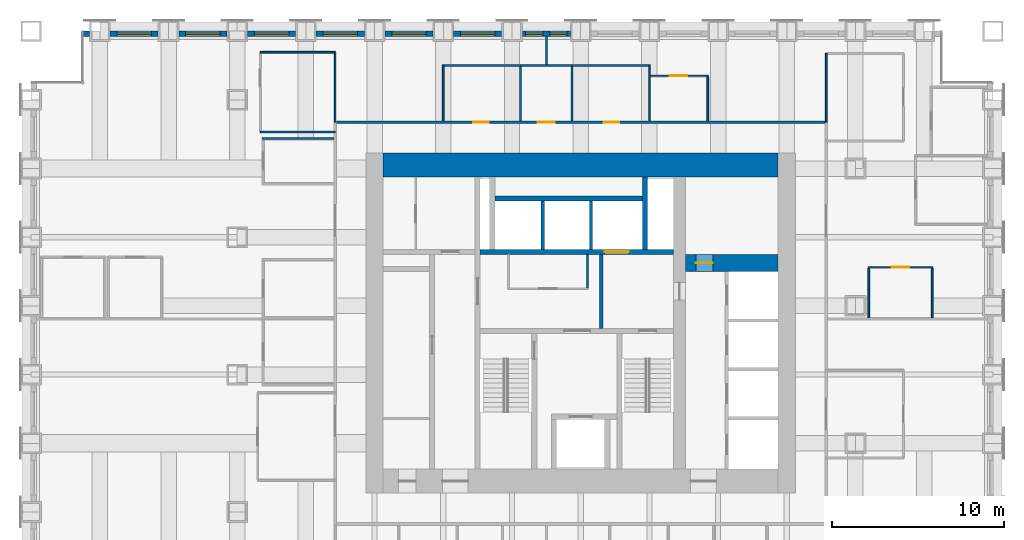
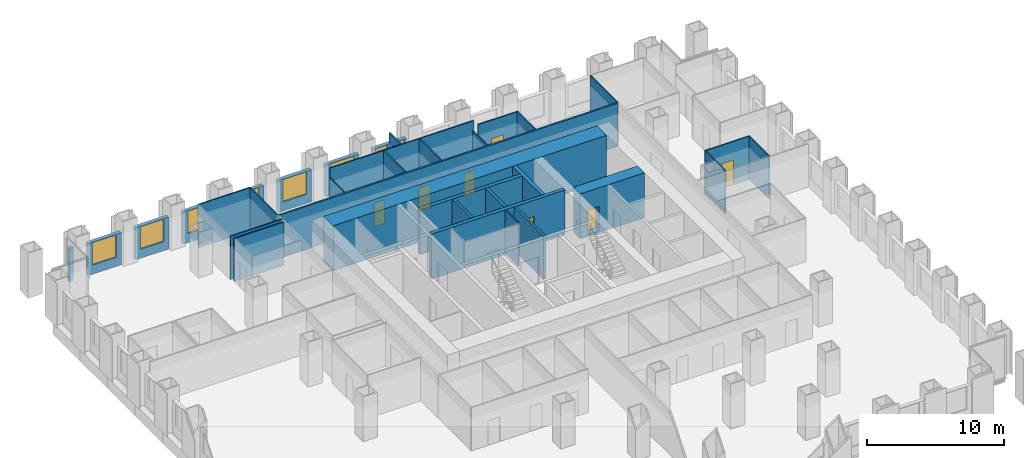
# One storey, part 12 of 15: 34 walls, 8 windows, 7 doors, 15 openings.
"""IFC4 building model written with IfcOpenShell, lengths in metres."""

from ifc_helpers import new_model, si_unit, direction, frame, frame_2d, origin, place, context, subcontext, project, spatial, rectangle, extrude, material, layer, layer_set, type_object, element, fill, save


model = new_model("IFC4")

# Units and contexts
model_context = context("Model", 3, precision=1e-05, world=origin(), true_north=direction((0.0, 1.0)))
body_context = subcontext(model_context, "Body", "Model", "MODEL_VIEW")
ifc_project = project(units=[si_unit("LENGTHUNIT", "METRE"), si_unit("AREAUNIT", "SQUARE_METRE"), si_unit("VOLUMEUNIT", "CUBIC_METRE"), si_unit("PLANEANGLEUNIT", "RADIAN"), si_unit("MASSUNIT", "GRAM", prefix="KILO")], contexts=[model_context])

# Site, building, storey
site_placement = place(None, origin())
site = spatial("IfcSite", under=ifc_project, at=site_placement, CompositionType="ELEMENT")
building_placement = place(site_placement, origin())
building = spatial("IfcBuilding", under=site, at=building_placement, Name="Rimbunsela Tower", CompositionType="ELEMENT")
storey_placement = place(building_placement, frame((0.0, 0.0, 19.0)))
storey = spatial("IfcBuildingStorey", under=building, at=storey_placement, Name="L04", CompositionType="ELEMENT", Elevation=19.0)

# Wall, opening, door
ifc_material_1 = material(Name="Concrete fc' 80 MPa", Category="concrete")
ifc_layer_1 = layer(ifc_material_1, 0.300048828125)
ifc_layer_set_1 = layer_set([ifc_layer_1], Name="Core internal wall 300")
wall_type_1 = type_object("IfcWallType", Name="Core internal wall 300", PredefinedType="SHEAR", material=ifc_layer_set_1)
wall_1_placement = place(storey_placement, frame((24.14990234375, 31.14990234375, -0.14990234375), z_axis=(0.0, 0.0, 1.0), x_axis=(1.0, 0.0, 0.0)))
wall_1 = element("IfcWall", 1, at=wall_1_placement, inside=storey, type_object=wall_type_1, Name="Lift shaft front north", PredefinedType="SHEAR", context=body_context, shape_type="SweptSolid", body=[
    extrude(rectangle(XDim=11.25, YDim=0.300048828125, at=frame_2d((5.625, 0.0))), origin(), (0.0, 0.0, 1.0), 4.0),
])
opening_1_placement = place(wall_1_placement, frame((7.25, 0.0, 0.14990234375)))
opening_1 = element("IfcOpeningElement", 2, at=opening_1_placement, cuts=wall_1, Name="Opening LD3", PredefinedType="OPENING", context=body_context, shape_type="SweptSolid", body=[
    extrude(rectangle(XDim=1.39990234375, YDim=2.39990234375, at=frame_2d((0.699951171875, 1.199951171875))), frame((0.0, 0.159912109375, 0.0), z_axis=(0.0, -1.0, 0.0), x_axis=(1.0, 0.0, 0.0)), (0.0, 0.0, 1.0), 0.320068359375),
])
ifc_material_2 = material(Name="Steel door, fire rated", Category="steel")
door_type_1 = type_object("IfcDoorType", Name="Lift landing door 1400", OperationType="DOUBLE_DOOR_SLIDING", PredefinedType="DOOR", material=ifc_material_2)
door_1_placement = place(opening_1_placement, origin())
door_1 = element("IfcDoor", 3, at=door_1_placement, inside=storey, type_object=door_type_1, Name="Lift landing door FL2", OperationType="DOUBLE_DOOR_SLIDING", OverallHeight=2.39990234375, OverallWidth=1.39990234375, PredefinedType="DOOR", context=body_context, shape_type="SweptSolid", body=[
    extrude(rectangle(XDim=1.39990234375, YDim=2.39990234375, at=frame_2d((0.699951171875, 1.199951171875))), frame((0.0, 0.02490234375, 0.0), z_axis=(0.0, -1.0, 0.0), x_axis=(1.0, 0.0, 0.0)), (0.0, 0.0, 1.0), 0.050048828125),
])
fill(opening_1, door_1)

# Walls
wall_2_placement = place(storey_placement, frame((33.75, 31.300048828125, -0.14990234375), z_axis=(0.0, 0.0, 1.0), x_axis=(0.0, 1.0, 0.0)))
element("IfcWall", 4, at=wall_2_placement, inside=storey, type_object=wall_type_1, Name="Riser wall", PredefinedType="SHEAR", context=body_context, shape_type="SweptSolid", body=[
    extrude(rectangle(XDim=4.199951171875, YDim=0.300048828125, at=frame_2d((2.10009765625, 0.0))), origin(), (0.0, 0.0, 1.0), 4.0),
])
wall_3_placement = place(storey_placement, frame((25.0, 34.25, -0.14990234375), z_axis=(0.0, 0.0, 1.0), x_axis=(1.0, 0.0, 0.0)))
element("IfcWall", 5, at=wall_3_placement, inside=storey, type_object=wall_type_1, Name="Lift shaft rear north", PredefinedType="SHEAR", context=body_context, shape_type="SweptSolid", body=[
    extrude(rectangle(XDim=8.60009765625, YDim=0.300048828125, at=frame_2d((4.300048828125, 0.0))), origin(), (0.0, 0.0, 1.0), 4.0),
])
ifc_material_3 = material(Name="Concrete blockwork", Category="masonry")
ifc_layer_2 = layer(ifc_material_3, 0.10009765625)
ifc_layer_set_2 = layer_set([ifc_layer_2], Name="Core room partition 100")
wall_type_2 = type_object("IfcWallType", Name="Core room partition 100", PredefinedType="PARTITIONING", material=ifc_layer_set_2)
wall_4_placement = place(storey_placement, frame((30.39990234375, 29.050048828125, 0.0), z_axis=(0.0, 0.0, 1.0), x_axis=(0.0, 1.0, 0.0)))
element("IfcWall", 6, at=wall_4_placement, inside=storey, type_object=wall_type_2, Name="Lobby room wall", PredefinedType="PARTITIONING", context=body_context, shape_type="SweptSolid", body=[
    extrude(rectangle(XDim=1.949951171875, YDim=0.10009765625, at=frame_2d((0.97509765625, 0.0))), origin(), (0.0, 0.0, 1.0), 3.85009765625),
])

# Wall, opening, door
ifc_material_4 = material(Name="Concrete fc' 80 MPa", Category="concrete")
ifc_layer_3 = layer(ifc_material_4, 1.0)
ifc_layer_set_3 = layer_set([ifc_layer_3], Name="Core wall 1000")
wall_type_3 = type_object("IfcWallType", Name="Core wall 1000", PredefinedType="SHEAR", material=ifc_layer_set_3)
wall_5_placement = place(storey_placement, frame((36.10009765625, 30.5, -0.14990234375), z_axis=(0.0, 0.0, 1.0), x_axis=(1.0, 0.0, 0.0)))
wall_5 = element("IfcWall", 7, at=wall_5_placement, inside=storey, type_object=wall_type_3, Name="Lift shaft rear east", PredefinedType="SHEAR", context=body_context, shape_type="SweptSolid", body=[
    extrude(rectangle(XDim=5.39990234375, YDim=1.0, at=frame_2d((2.699951171875, 0.0))), origin(), (0.0, 0.0, 1.0), 4.0),
])
opening_2_placement = place(wall_5_placement, frame((0.60009765625, 0.0, 0.14990234375)))
opening_2 = element("IfcOpeningElement", 8, at=opening_2_placement, cuts=wall_5, Name="Opening D19", PredefinedType="OPENING", context=body_context, shape_type="SweptSolid", body=[
    extrude(rectangle(XDim=1.0, YDim=2.199951171875, at=frame_2d((0.5, 1.10009765625))), frame((0.0, 0.510009765625, 0.0), z_axis=(0.0, -1.0, 0.0), x_axis=(1.0, 0.0, 0.0)), (0.0, 0.0, 1.0), 1.02001953125),
])
ifc_material_5 = material(Name="Steel door, fire rated", Category="steel")
door_type_2 = type_object("IfcDoorType", Name="Service door 1000 fire rated", OperationType="SINGLE_SWING_LEFT", PredefinedType="DOOR", material=ifc_material_5)
door_2_placement = place(opening_2_placement, origin())
door_2 = element("IfcDoor", 9, at=door_2_placement, inside=storey, type_object=door_type_2, Name="Communications room door", OperationType="SINGLE_SWING_LEFT", OverallHeight=2.199951171875, OverallWidth=1.0, PredefinedType="DOOR", context=body_context, shape_type="SweptSolid", body=[
    extrude(rectangle(XDim=1.0, YDim=2.199951171875, at=frame_2d((0.5, 1.10009765625))), frame((0.0, 0.02490234375, 0.0), z_axis=(0.0, -1.0, 0.0), x_axis=(1.0, 0.0, 0.0)), (0.0, 0.0, 1.0), 0.050048828125),
])
fill(opening_2, door_2)

# Walls
ifc_material_6 = material(Name="Concrete fc' 80 MPa", Category="concrete")
ifc_layer_4 = layer(ifc_material_6, 1.39990234375)
ifc_layer_set_4 = layer_set([ifc_layer_4], Name="Core wall 1400")
wall_type_4 = type_object("IfcWallType", Name="Core wall 1400", PredefinedType="SHEAR", material=ifc_layer_set_4)
wall_6_placement = place(storey_placement, frame((18.5, 36.199951171875, -0.14990234375), z_axis=(0.0, 0.0, 1.0), x_axis=(1.0, 0.0, 0.0)))
element("IfcWall", 10, at=wall_6_placement, inside=storey, type_object=wall_type_4, Name="Core wall north", PredefinedType="SHEAR", context=body_context, shape_type="SweptSolid", body=[
    extrude(rectangle(XDim=23.0, YDim=1.39990234375, at=frame_2d((11.5, 0.0))), origin(), (0.0, 0.0, 1.0), 4.0),
])
ifc_material_7 = material(Name="Concrete blockwork", Category="masonry")
ifc_layer_5 = layer(ifc_material_7, 0.199951171875)
ifc_layer_set_5 = layer_set([ifc_layer_5], Name="Lift shaft wall 200")
wall_type_5 = type_object("IfcWallType", Name="Lift shaft wall 200", PredefinedType="SOLIDWALL", material=ifc_layer_set_5)
for number, where, z_axis, x_axis, name in (
    (11, (27.800048828125, 31.300048828125, -0.14990234375), (0.0, 0.0, 1.0), (0.0, 1.0, 0.0), "Lift shaft separation"),
    (12, (30.60009765625, 31.300048828125, -0.14990234375), (0.0, 0.0, 1.0), (0.0, 1.0, 0.0), "Lift shaft separation"),
):
    element("IfcWall", number, at=place(storey_placement, frame(where, z_axis=z_axis, x_axis=x_axis)), inside=storey, type_object=wall_type_5, Name=name, PredefinedType="SOLIDWALL", context=body_context, shape_type="SweptSolid", body=[
        extrude(rectangle(XDim=2.800048828125, YDim=0.199951171875, at=frame_2d((1.39990234375, 0.0))), origin(), (0.0, 0.0, 1.0), 4.0),
    ])
wall_7_placement = place(storey_placement, frame((31.199951171875, 26.699951171875, 0.0), z_axis=(0.0, 0.0, 1.0), x_axis=(0.0, 1.0, 0.0)))
element("IfcWall", 13, at=wall_7_placement, inside=storey, type_object=wall_type_5, Name="Firefighting lobby 2 wall", PredefinedType="SOLIDWALL", context=body_context, shape_type="SweptSolid", body=[
    extrude(rectangle(XDim=4.300048828125, YDim=0.199951171875, at=frame_2d((2.14990234375, 0.0))), origin(), (0.0, 0.0, 1.0), 3.85009765625),
])

# Wall, opening, door
ifc_material_8 = material(Name="Gypsum board on steel studs", Category="steel")
ifc_layer_6 = layer(ifc_material_8, 0.10009765625)
ifc_layer_set_6 = layer_set([ifc_layer_6], Name="Office partition 100")
wall_type_6 = type_object("IfcWallType", Name="Office partition 100", PredefinedType="PARTITIONING", material=ifc_layer_set_6)
wall_8_placement = place(storey_placement, frame((46.72509765625, 30.25, 0.0), z_axis=(0.0, 0.0, 1.0), x_axis=(1.0, 0.0, 0.0)))
wall_8 = element("IfcWall", 14, at=wall_8_placement, inside=storey, type_object=wall_type_6, Name="Office partition", PredefinedType="PARTITIONING", context=body_context, shape_type="SweptSolid", body=[
    extrude(rectangle(XDim=3.7998046875, YDim=0.10009765625, at=frame_2d((1.89990234375, 0.0))), origin(), (0.0, 0.0, 1.0), 3.85009765625),
])
opening_3_placement = place(wall_8_placement, frame((1.39990234375, 0.0, 0.0)))
opening_3 = element("IfcOpeningElement", 15, at=opening_3_placement, cuts=wall_8, Name="Opening D17", PredefinedType="OPENING", context=body_context, shape_type="SweptSolid", body=[
    extrude(rectangle(XDim=1.0, YDim=2.199951171875, at=frame_2d((0.5, 1.10009765625))), frame((0.0, 0.06005859375, 0.0), z_axis=(0.0, -1.0, 0.0), x_axis=(1.0, 0.0, 0.0)), (0.0, 0.0, 1.0), 0.1201171875),
])
ifc_material_9 = material(Name="Glazed aluminium door", Category="aluminium")
door_type_3 = type_object("IfcDoorType", Name="Meeting room door 1000 glazed", OperationType="SINGLE_SWING_RIGHT", PredefinedType="DOOR", material=ifc_material_9)
door_3_placement = place(opening_3_placement, origin())
door_3 = element("IfcDoor", 16, at=door_3_placement, inside=storey, type_object=door_type_3, Name="Meeting room door", OperationType="SINGLE_SWING_RIGHT", OverallHeight=2.199951171875, OverallWidth=1.0, PredefinedType="DOOR", context=body_context, shape_type="SweptSolid", body=[
    extrude(rectangle(XDim=1.0, YDim=2.199951171875, at=frame_2d((0.5, 1.10009765625))), frame((0.0, 0.02490234375, 0.0), z_axis=(0.0, -1.0, 0.0), x_axis=(1.0, 0.0, 0.0)), (0.0, 0.0, 1.0), 0.050048828125),
])
fill(opening_3, door_3)

# Wall
wall_9_placement = place(storey_placement, frame((11.449951171875, 37.75, 0.0), z_axis=(0.0, 0.0, 1.0), x_axis=(1.0, 0.0, 0.0)))
element("IfcWall", 17, at=wall_9_placement, inside=storey, type_object=wall_type_6, Name="Office partition", PredefinedType="PARTITIONING", context=body_context, shape_type="SweptSolid", body=[
    extrude(rectangle(XDim=4.175048828125, YDim=0.10009765625, at=frame_2d((2.08740234375, 0.0))), origin(), (0.0, 0.0, 1.0), 3.85009765625),
])

# Wall, opening, door
wall_10_placement = place(storey_placement, frame((34.050048828125, 41.39990234375, 0.0), z_axis=(0.0, 0.0, 1.0), x_axis=(1.0, 0.0, 0.0)))
wall_10 = element("IfcWall", 18, at=wall_10_placement, inside=storey, type_object=wall_type_6, Name="Office partition", PredefinedType="PARTITIONING", context=body_context, shape_type="SweptSolid", body=[
    extrude(rectangle(XDim=3.39990234375, YDim=0.10009765625, at=frame_2d((1.699951171875, 0.0))), origin(), (0.0, 0.0, 1.0), 3.85009765625),
])
opening_4_placement = place(wall_10_placement, frame((1.14990234375, 0.0, 0.0)))
opening_4 = element("IfcOpeningElement", 19, at=opening_4_placement, cuts=wall_10, Name="Opening D16", PredefinedType="OPENING", context=body_context, shape_type="SweptSolid", body=[
    extrude(rectangle(XDim=1.0, YDim=2.199951171875, at=frame_2d((0.5, 1.10009765625))), frame((0.0, 0.06005859375, 0.0), z_axis=(0.0, -1.0, 0.0), x_axis=(1.0, 0.0, 0.0)), (0.0, 0.0, 1.0), 0.1201171875),
])
ifc_material_10 = material(Name="Timber door", Category="wood")
door_type_4 = type_object("IfcDoorType", Name="Office door 1000", OperationType="SINGLE_SWING_LEFT", PredefinedType="DOOR", material=ifc_material_10)
door_4_placement = place(opening_4_placement, origin())
door_4 = element("IfcDoor", 20, at=door_4_placement, inside=storey, type_object=door_type_4, Name="Office door", OperationType="SINGLE_SWING_LEFT", OverallHeight=2.199951171875, OverallWidth=1.0, PredefinedType="DOOR", context=body_context, shape_type="SweptSolid", body=[
    extrude(rectangle(XDim=1.0, YDim=2.199951171875, at=frame_2d((0.5, 1.10009765625))), frame((0.0, 0.02490234375, 0.0), z_axis=(0.0, -1.0, 0.0), x_axis=(1.0, 0.0, 0.0)), (0.0, 0.0, 1.0), 0.050048828125),
])
fill(opening_4, door_4)

# Walls
wall_11_placement = place(storey_placement, frame((37.39990234375, 38.77490234375, 0.0), z_axis=(0.0, 0.0, 1.0), x_axis=(0.0, 1.0, 0.0)))
element("IfcWall", 21, at=wall_11_placement, inside=storey, type_object=wall_type_6, Name="Office partition", PredefinedType="PARTITIONING", context=body_context, shape_type="SweptSolid", body=[
    extrude(rectangle(XDim=2.5751953125, YDim=0.10009765625, at=frame_2d((1.28759765625, 0.0))), origin(), (0.0, 0.0, 1.0), 3.85009765625),
])
for number, where, z_axis, x_axis, name in (
    (22, (46.77490234375, 27.31005859375, 0.0), (0.0, 0.0, 1.0), (0.0, 1.0, 0.0), "Office partition"),
    (23, (50.47509765625, 27.31005859375, 0.0), (0.0, 0.0, 1.0), (0.0, 1.0, 0.0), "Office partition"),
):
    element("IfcWall", number, at=place(storey_placement, frame(where, z_axis=z_axis, x_axis=x_axis)), inside=storey, type_object=wall_type_6, Name=name, PredefinedType="PARTITIONING", context=body_context, shape_type="SweptSolid", body=[
        extrude(rectangle(XDim=2.889892578125, YDim=0.10009765625, at=frame_2d((1.44482421875, 0.0))), origin(), (0.0, 0.0, 1.0), 3.85009765625),
    ])
wall_12_placement = place(storey_placement, frame((15.699951171875, 38.699951171875, 0.0), z_axis=(0.0, 0.0, 1.0), x_axis=(0.0, 1.0, 0.0)))
element("IfcWall", 24, at=wall_12_placement, inside=storey, type_object=wall_type_6, Name="Office partition", PredefinedType="PARTITIONING", context=body_context, shape_type="SweptSolid", body=[
    extrude(rectangle(XDim=4.074951171875, YDim=0.10009765625, at=frame_2d((2.03759765625, 0.0))), origin(), (0.0, 0.0, 1.0), 3.85009765625),
])
for number, where, z_axis, x_axis, name in (
    (25, (15.699951171875, 42.77490234375, 0.0), (0.0, 0.0, 1.0), (-1.0, 0.0, 0.0), "Office partition"),
    (26, (11.35009765625, 38.125, 0.0), (0.0, 0.0, 1.0), (1.0, 0.0, 0.0), "Office partition"),
):
    element("IfcWall", number, at=place(storey_placement, frame(where, z_axis=z_axis, x_axis=x_axis)), inside=storey, type_object=wall_type_6, Name=name, PredefinedType="PARTITIONING", context=body_context, shape_type="SweptSolid", body=[
        extrude(rectangle(XDim=4.349853515625, YDim=0.10009765625, at=frame_2d((2.1748046875, 0.0))), origin(), (0.0, 0.0, 1.0), 3.85009765625),
    ])
wall_13_placement = place(storey_placement, frame((44.300048828125, 42.699951171875, 0.0), z_axis=(0.0, 0.0, 1.0), x_axis=(0.0, -1.0, 0.0)))
element("IfcWall", 27, at=wall_13_placement, inside=storey, type_object=wall_type_6, Name="Office partition", PredefinedType="PARTITIONING", context=body_context, shape_type="SweptSolid", body=[
    extrude(rectangle(XDim=4.0, YDim=0.10009765625, at=frame_2d((2.0, 0.0))), origin(), (0.0, 0.0, 1.0), 3.85009765625),
])
ifc_material_11 = material(Name="Precast concrete fc' 35 MPa", Category="concrete")
ifc_layer_7 = layer(ifc_material_11, 0.300048828125)
ifc_layer_set_7 = layer_set([ifc_layer_7], Name="Precast concrete fc' 35 MPa")
wall_type_7 = type_object("IfcWallType", Name="Precast facade panel 300", PredefinedType="ELEMENTEDWALL", material=ifc_layer_set_7)
wall_14_placement = place(storey_placement, frame((1.39990234375, 43.85009765625, 0.0), z_axis=(0.0, 0.0, 1.0), x_axis=(-1.0, 0.0, 0.0)))
element("IfcWall", 28, at=wall_14_placement, inside=storey, type_object=wall_type_7, Name="Facade panel N L04", PredefinedType="ELEMENTEDWALL", context=body_context, shape_type="SweptSolid", body=[
    extrude(rectangle(XDim=0.369873046875, YDim=0.300048828125, at=frame_2d((0.18505859375, 0.0))), origin(), (0.0, 0.0, 1.0), 2.949951171875),
])

# Wall, opening, window
wall_15_placement = place(storey_placement, frame((5.39990234375, 43.85009765625, 0.0), z_axis=(0.0, 0.0, 1.0), x_axis=(-1.0, 0.0, 0.0)))
wall_15 = element("IfcWall", 29, at=wall_15_placement, inside=storey, type_object=wall_type_7, Name="Facade panel N L04", PredefinedType="ELEMENTEDWALL", context=body_context, shape_type="SweptSolid", body=[
    extrude(rectangle(XDim=2.7998046875, YDim=0.300048828125, at=frame_2d((1.39990234375, 0.0))), origin(), (0.0, 0.0, 1.0), 2.85009765625),
])
opening_5_placement = place(wall_15_placement, frame((0.39990234375, 0.0, 0.800048828125)))
opening_5 = element("IfcOpeningElement", 30, at=opening_5_placement, cuts=wall_15, Name="Opening W1", PredefinedType="OPENING", context=body_context, shape_type="SweptSolid", body=[
    extrude(rectangle(XDim=2.0, YDim=2.0, at=frame_2d((1.0, 1.0))), frame((0.0, 0.159912109375, 0.0), z_axis=(0.0, -1.0, 0.0), x_axis=(1.0, 0.0, 0.0)), (0.0, 0.0, 1.0), 0.320068359375),
])
ifc_material_12 = material(Name="Clear glass in aluminium frame", Category="aluminium")
window_type_1 = type_object("IfcWindowType", Name="Window W1 2000x2000", PartitioningType="DOUBLE_PANEL_VERTICAL", PredefinedType="WINDOW", material=ifc_material_12)
window_1_placement = place(opening_5_placement, origin())
window_1 = element("IfcWindow", 31, at=window_1_placement, inside=storey, type_object=window_type_1, Name="Window L04", OverallHeight=2.0, OverallWidth=2.0, PartitioningType="SINGLE_PANEL", PredefinedType="WINDOW", context=body_context, shape_type="SweptSolid", body=[
    extrude(rectangle(XDim=2.0, YDim=2.0, at=frame_2d((1.0, 1.0))), frame((0.0, 0.030029296875, 0.0), z_axis=(0.0, -1.0, 0.0), x_axis=(1.0, 0.0, 0.0)), (0.0, 0.0, 1.0), 0.06005859375),
])
fill(opening_5, window_1)

wall_16_placement = place(storey_placement, frame((9.39990234375, 43.85009765625, 0.0), z_axis=(0.0, 0.0, 1.0), x_axis=(-1.0, 0.0, 0.0)))
wall_16 = element("IfcWall", 32, at=wall_16_placement, inside=storey, type_object=wall_type_7, Name="Facade panel N L04", PredefinedType="ELEMENTEDWALL", context=body_context, shape_type="SweptSolid", body=[
    extrude(rectangle(XDim=2.7998046875, YDim=0.300048828125, at=frame_2d((1.39990234375, 0.0))), origin(), (0.0, 0.0, 1.0), 2.85009765625),
])
opening_6_placement = place(wall_16_placement, frame((0.39990234375, 0.0, 0.800048828125)))
opening_6 = element("IfcOpeningElement", 33, at=opening_6_placement, cuts=wall_16, Name="Opening W1", PredefinedType="OPENING", context=body_context, shape_type="SweptSolid", body=[
    extrude(rectangle(XDim=2.0, YDim=2.0, at=frame_2d((1.0, 1.0))), frame((0.0, 0.159912109375, 0.0), z_axis=(0.0, -1.0, 0.0), x_axis=(1.0, 0.0, 0.0)), (0.0, 0.0, 1.0), 0.320068359375),
])
window_2_placement = place(opening_6_placement, origin())
window_2 = element("IfcWindow", 34, at=window_2_placement, inside=storey, type_object=window_type_1, Name="Window L04", OverallHeight=2.0, OverallWidth=2.0, PartitioningType="SINGLE_PANEL", PredefinedType="WINDOW", context=body_context, shape_type="SweptSolid", body=[
    extrude(rectangle(XDim=2.0, YDim=2.0, at=frame_2d((1.0, 1.0))), frame((0.0, 0.030029296875, 0.0), z_axis=(0.0, -1.0, 0.0), x_axis=(1.0, 0.0, 0.0)), (0.0, 0.0, 1.0), 0.06005859375),
])
fill(opening_6, window_2)

wall_17_placement = place(storey_placement, frame((13.39990234375, 43.85009765625, 0.0), z_axis=(0.0, 0.0, 1.0), x_axis=(-1.0, 0.0, 0.0)))
wall_17 = element("IfcWall", 35, at=wall_17_placement, inside=storey, type_object=wall_type_7, Name="Facade panel N L04", PredefinedType="ELEMENTEDWALL", context=body_context, shape_type="SweptSolid", body=[
    extrude(rectangle(XDim=2.7998046875, YDim=0.300048828125, at=frame_2d((1.39990234375, 0.0))), origin(), (0.0, 0.0, 1.0), 2.85009765625),
])
opening_7_placement = place(wall_17_placement, frame((0.39990234375, 0.0, 0.800048828125)))
opening_7 = element("IfcOpeningElement", 36, at=opening_7_placement, cuts=wall_17, Name="Opening W1", PredefinedType="OPENING", context=body_context, shape_type="SweptSolid", body=[
    extrude(rectangle(XDim=2.0, YDim=2.0, at=frame_2d((1.0, 1.0))), frame((0.0, 0.159912109375, 0.0), z_axis=(0.0, -1.0, 0.0), x_axis=(1.0, 0.0, 0.0)), (0.0, 0.0, 1.0), 0.320068359375),
])
window_3_placement = place(opening_7_placement, origin())
window_3 = element("IfcWindow", 37, at=window_3_placement, inside=storey, type_object=window_type_1, Name="Window L04", OverallHeight=2.0, OverallWidth=2.0, PartitioningType="SINGLE_PANEL", PredefinedType="WINDOW", context=body_context, shape_type="SweptSolid", body=[
    extrude(rectangle(XDim=2.0, YDim=2.0, at=frame_2d((1.0, 1.0))), frame((0.0, 0.030029296875, 0.0), z_axis=(0.0, -1.0, 0.0), x_axis=(1.0, 0.0, 0.0)), (0.0, 0.0, 1.0), 0.06005859375),
])
fill(opening_7, window_3)

wall_18_placement = place(storey_placement, frame((17.39990234375, 43.85009765625, 0.0), z_axis=(0.0, 0.0, 1.0), x_axis=(-1.0, 0.0, 0.0)))
wall_18 = element("IfcWall", 38, at=wall_18_placement, inside=storey, type_object=wall_type_7, Name="Facade panel N L04", PredefinedType="ELEMENTEDWALL", context=body_context, shape_type="SweptSolid", body=[
    extrude(rectangle(XDim=2.7998046875, YDim=0.300048828125, at=frame_2d((1.39990234375, 0.0))), origin(), (0.0, 0.0, 1.0), 2.85009765625),
])
opening_8_placement = place(wall_18_placement, frame((0.39990234375, 0.0, 0.800048828125)))
opening_8 = element("IfcOpeningElement", 39, at=opening_8_placement, cuts=wall_18, Name="Opening W1", PredefinedType="OPENING", context=body_context, shape_type="SweptSolid", body=[
    extrude(rectangle(XDim=2.0, YDim=2.0, at=frame_2d((1.0, 1.0))), frame((0.0, 0.159912109375, 0.0), z_axis=(0.0, -1.0, 0.0), x_axis=(1.0, 0.0, 0.0)), (0.0, 0.0, 1.0), 0.320068359375),
])
window_4_placement = place(opening_8_placement, origin())
window_4 = element("IfcWindow", 40, at=window_4_placement, inside=storey, type_object=window_type_1, Name="Window L04", OverallHeight=2.0, OverallWidth=2.0, PartitioningType="SINGLE_PANEL", PredefinedType="WINDOW", context=body_context, shape_type="SweptSolid", body=[
    extrude(rectangle(XDim=2.0, YDim=2.0, at=frame_2d((1.0, 1.0))), frame((0.0, 0.030029296875, 0.0), z_axis=(0.0, -1.0, 0.0), x_axis=(1.0, 0.0, 0.0)), (0.0, 0.0, 1.0), 0.06005859375),
])
fill(opening_8, window_4)

wall_19_placement = place(storey_placement, frame((21.39990234375, 43.85009765625, 0.0), z_axis=(0.0, 0.0, 1.0), x_axis=(-1.0, 0.0, 0.0)))
wall_19 = element("IfcWall", 41, at=wall_19_placement, inside=storey, type_object=wall_type_7, Name="Facade panel N L04", PredefinedType="ELEMENTEDWALL", context=body_context, shape_type="SweptSolid", body=[
    extrude(rectangle(XDim=2.7998046875, YDim=0.300048828125, at=frame_2d((1.39990234375, 0.0))), origin(), (0.0, 0.0, 1.0), 2.85009765625),
])
opening_9_placement = place(wall_19_placement, frame((0.39990234375, 0.0, 0.800048828125)))
opening_9 = element("IfcOpeningElement", 42, at=opening_9_placement, cuts=wall_19, Name="Opening W1", PredefinedType="OPENING", context=body_context, shape_type="SweptSolid", body=[
    extrude(rectangle(XDim=2.0, YDim=2.0, at=frame_2d((1.0, 1.0))), frame((0.0, 0.159912109375, 0.0), z_axis=(0.0, -1.0, 0.0), x_axis=(1.0, 0.0, 0.0)), (0.0, 0.0, 1.0), 0.320068359375),
])
window_5_placement = place(opening_9_placement, origin())
window_5 = element("IfcWindow", 43, at=window_5_placement, inside=storey, type_object=window_type_1, Name="Window L04", OverallHeight=2.0, OverallWidth=2.0, PartitioningType="SINGLE_PANEL", PredefinedType="WINDOW", context=body_context, shape_type="SweptSolid", body=[
    extrude(rectangle(XDim=2.0, YDim=2.0, at=frame_2d((1.0, 1.0))), frame((0.0, 0.030029296875, 0.0), z_axis=(0.0, -1.0, 0.0), x_axis=(1.0, 0.0, 0.0)), (0.0, 0.0, 1.0), 0.06005859375),
])
fill(opening_9, window_5)

wall_20_placement = place(storey_placement, frame((25.39990234375, 43.85009765625, 0.0), z_axis=(0.0, 0.0, 1.0), x_axis=(-1.0, 0.0, 0.0)))
wall_20 = element("IfcWall", 44, at=wall_20_placement, inside=storey, type_object=wall_type_7, Name="Facade panel N L04", PredefinedType="ELEMENTEDWALL", context=body_context, shape_type="SweptSolid", body=[
    extrude(rectangle(XDim=2.7998046875, YDim=0.300048828125, at=frame_2d((1.39990234375, 0.0))), origin(), (0.0, 0.0, 1.0), 2.85009765625),
])
opening_10_placement = place(wall_20_placement, frame((0.39990234375, 0.0, 0.800048828125)))
opening_10 = element("IfcOpeningElement", 45, at=opening_10_placement, cuts=wall_20, Name="Opening W1", PredefinedType="OPENING", context=body_context, shape_type="SweptSolid", body=[
    extrude(rectangle(XDim=2.0, YDim=2.0, at=frame_2d((1.0, 1.0))), frame((0.0, 0.159912109375, 0.0), z_axis=(0.0, -1.0, 0.0), x_axis=(1.0, 0.0, 0.0)), (0.0, 0.0, 1.0), 0.320068359375),
])
window_6_placement = place(opening_10_placement, origin())
window_6 = element("IfcWindow", 46, at=window_6_placement, inside=storey, type_object=window_type_1, Name="Window L04", OverallHeight=2.0, OverallWidth=2.0, PartitioningType="SINGLE_PANEL", PredefinedType="WINDOW", context=body_context, shape_type="SweptSolid", body=[
    extrude(rectangle(XDim=2.0, YDim=2.0, at=frame_2d((1.0, 1.0))), frame((0.0, 0.030029296875, 0.0), z_axis=(0.0, -1.0, 0.0), x_axis=(1.0, 0.0, 0.0)), (0.0, 0.0, 1.0), 0.06005859375),
])
fill(opening_10, window_6)

# Wall, openings, windows
wall_21_placement = place(storey_placement, frame((29.39990234375, 43.85009765625, 0.0), z_axis=(0.0, 0.0, 1.0), x_axis=(-1.0, 0.0, 0.0)))
wall_21 = element("IfcWall", 47, at=wall_21_placement, inside=storey, type_object=wall_type_7, Name="Facade panel N L04", PredefinedType="ELEMENTEDWALL", context=body_context, shape_type="SweptSolid", body=[
    extrude(rectangle(XDim=2.7998046875, YDim=0.300048828125, at=frame_2d((1.39990234375, 0.0))), origin(), (0.0, 0.0, 1.0), 2.85009765625),
])
opening_11_placement = place(wall_21_placement, frame((1.60009765625, 0.0, 0.800048828125)))
opening_11 = element("IfcOpeningElement", 48, at=opening_11_placement, cuts=wall_21, Name="Opening W5", PredefinedType="OPENING", context=body_context, shape_type="SweptSolid", body=[
    extrude(rectangle(XDim=1.0, YDim=2.0, at=frame_2d((0.5, 1.0))), frame((0.0, 0.159912109375, 0.0), z_axis=(0.0, -1.0, 0.0), x_axis=(1.0, 0.0, 0.0)), (0.0, 0.0, 1.0), 0.320068359375),
])
opening_12_placement = place(wall_21_placement, frame((0.199951171875, 0.0, 0.800048828125)))
opening_12 = element("IfcOpeningElement", 49, at=opening_12_placement, cuts=wall_21, Name="Opening W5", PredefinedType="OPENING", context=body_context, shape_type="SweptSolid", body=[
    extrude(rectangle(XDim=1.0, YDim=2.0, at=frame_2d((0.5, 1.0))), frame((0.0, 0.159912109375, 0.0), z_axis=(0.0, -1.0, 0.0), x_axis=(1.0, 0.0, 0.0)), (0.0, 0.0, 1.0), 0.320068359375),
])
ifc_material_13 = material(Name="Clear glass in aluminium frame", Category="aluminium")
window_type_2 = type_object("IfcWindowType", Name="Window W5 1000x2000", PartitioningType="SINGLE_PANEL", PredefinedType="WINDOW", material=ifc_material_13)
window_7_placement = place(opening_11_placement, origin())
window_7 = element("IfcWindow", 50, at=window_7_placement, inside=storey, type_object=window_type_2, Name="Window L04", OverallHeight=2.0, OverallWidth=1.0, PartitioningType="SINGLE_PANEL", PredefinedType="WINDOW", context=body_context, shape_type="SweptSolid", body=[
    extrude(rectangle(XDim=1.0, YDim=2.0, at=frame_2d((0.5, 1.0))), frame((0.0, 0.030029296875, 0.0), z_axis=(0.0, -1.0, 0.0), x_axis=(1.0, 0.0, 0.0)), (0.0, 0.0, 1.0), 0.06005859375),
])
fill(opening_11, window_7)
window_8_placement = place(opening_12_placement, origin())
window_8 = element("IfcWindow", 51, at=window_8_placement, inside=storey, type_object=window_type_2, Name="Window L04", OverallHeight=2.0, OverallWidth=1.0, PartitioningType="SINGLE_PANEL", PredefinedType="WINDOW", context=body_context, shape_type="SweptSolid", body=[
    extrude(rectangle(XDim=1.0, YDim=2.0, at=frame_2d((0.5, 1.0))), frame((0.0, 0.030029296875, 0.0), z_axis=(0.0, -1.0, 0.0), x_axis=(1.0, 0.0, 0.0)), (0.0, 0.0, 1.0), 0.06005859375),
])
fill(opening_12, window_8)

# Wall, openings, doors
ifc_material_14 = material(Name="Fire-rated gypsum board on steel studs, EI 60", Category="steel")
ifc_layer_8 = layer(ifc_material_14, 0.14990234375)
ifc_layer_set_8 = layer_set([ifc_layer_8], Name="Rated corridor wall 150")
wall_type_8 = type_object("IfcWallType", Name="Rated corridor wall 150", PredefinedType="PARTITIONING", material=ifc_layer_set_8)
wall_22_placement = place(storey_placement, frame((15.77490234375, 38.699951171875, 0.0), z_axis=(0.0, 0.0, 1.0), x_axis=(1.0, 0.0, 0.0)))
wall_22 = element("IfcWall", 52, at=wall_22_placement, inside=storey, type_object=wall_type_8, Name="Corridor wall north", PredefinedType="PARTITIONING", context=body_context, shape_type="SweptSolid", body=[
    extrude(rectangle(XDim=28.4501953125, YDim=0.14990234375, at=frame_2d((14.22509765625, 0.0))), origin(), (0.0, 0.0, 1.0), 3.85009765625),
])
opening_13_placement = place(wall_22_placement, frame((7.97509765625, 0.0, 0.0)))
opening_13 = element("IfcOpeningElement", 53, at=opening_13_placement, cuts=wall_22, Name="Opening D04", PredefinedType="OPENING", context=body_context, shape_type="SweptSolid", body=[
    extrude(rectangle(XDim=0.89990234375, YDim=2.10009765625, at=frame_2d((0.449951171875, 1.050048828125))), frame((0.0, 0.0849609375, 0.0), z_axis=(0.0, -1.0, 0.0), x_axis=(1.0, 0.0, 0.0)), (0.0, 0.0, 1.0), 0.169921875),
])
opening_14_placement = place(wall_22_placement, frame((11.72509765625, 0.0, 0.0)))
opening_14 = element("IfcOpeningElement", 54, at=opening_14_placement, cuts=wall_22, Name="Opening D05", PredefinedType="OPENING", context=body_context, shape_type="SweptSolid", body=[
    extrude(rectangle(XDim=1.0, YDim=2.10009765625, at=frame_2d((0.5, 1.050048828125))), frame((0.0, 0.0849609375, 0.0), z_axis=(0.0, -1.0, 0.0), x_axis=(1.0, 0.0, 0.0)), (0.0, 0.0, 1.0), 0.169921875),
])
opening_15_placement = place(wall_22_placement, frame((15.574951171875, 0.0, 0.0)))
opening_15 = element("IfcOpeningElement", 55, at=opening_15_placement, cuts=wall_22, Name="Opening D04", PredefinedType="OPENING", context=body_context, shape_type="SweptSolid", body=[
    extrude(rectangle(XDim=0.89990234375, YDim=2.10009765625, at=frame_2d((0.449951171875, 1.050048828125))), frame((0.0, 0.0849609375, 0.0), z_axis=(0.0, -1.0, 0.0), x_axis=(1.0, 0.0, 0.0)), (0.0, 0.0, 1.0), 0.169921875),
])
ifc_material_15 = material(Name="Timber door", Category="wood")
door_type_5 = type_object("IfcDoorType", Name="Accessible WC door 1000", OperationType="SLIDING_TO_LEFT", PredefinedType="DOOR", material=ifc_material_15)
door_5_placement = place(opening_14_placement, origin())
door_5 = element("IfcDoor", 56, at=door_5_placement, inside=storey, type_object=door_type_5, Name="Accessible WC door", OperationType="SLIDING_TO_LEFT", OverallHeight=2.10009765625, OverallWidth=1.0, PredefinedType="DOOR", context=body_context, shape_type="SweptSolid", body=[
    extrude(rectangle(XDim=1.0, YDim=2.10009765625, at=frame_2d((0.5, 1.050048828125))), frame((0.0, 0.02490234375, 0.0), z_axis=(0.0, -1.0, 0.0), x_axis=(1.0, 0.0, 0.0)), (0.0, 0.0, 1.0), 0.050048828125),
])
fill(opening_14, door_5)
ifc_material_16 = material(Name="Timber door", Category="wood")
door_type_6 = type_object("IfcDoorType", Name="Toilet door 900", OperationType="SINGLE_SWING_LEFT", PredefinedType="DOOR", material=ifc_material_16)
door_6_placement = place(opening_13_placement, origin())
door_6 = element("IfcDoor", 57, at=door_6_placement, inside=storey, type_object=door_type_6, Name="Female WC door", OperationType="SINGLE_SWING_LEFT", OverallHeight=2.10009765625, OverallWidth=0.89990234375, PredefinedType="DOOR", context=body_context, shape_type="SweptSolid", body=[
    extrude(rectangle(XDim=0.89990234375, YDim=2.10009765625, at=frame_2d((0.449951171875, 1.050048828125))), frame((0.0, 0.02490234375, 0.0), z_axis=(0.0, -1.0, 0.0), x_axis=(1.0, 0.0, 0.0)), (0.0, 0.0, 1.0), 0.050048828125),
])
fill(opening_13, door_6)
door_7_placement = place(opening_15_placement, origin())
door_7 = element("IfcDoor", 58, at=door_7_placement, inside=storey, type_object=door_type_6, Name="Male WC door", OperationType="SINGLE_SWING_LEFT", OverallHeight=2.10009765625, OverallWidth=0.89990234375, PredefinedType="DOOR", context=body_context, shape_type="SweptSolid", body=[
    extrude(rectangle(XDim=0.89990234375, YDim=2.10009765625, at=frame_2d((0.449951171875, 1.050048828125))), frame((0.0, 0.02490234375, 0.0), z_axis=(0.0, -1.0, 0.0), x_axis=(1.0, 0.0, 0.0)), (0.0, 0.0, 1.0), 0.050048828125),
])
fill(opening_15, door_7)

# Walls
ifc_material_17 = material(Name="Gypsum board on steel studs", Category="steel")
ifc_layer_9 = layer(ifc_material_17, 0.1201171875)
ifc_layer_set_9 = layer_set([ifc_layer_9], Name="Tenancy partition 120")
wall_type_9 = type_object("IfcWallType", Name="Tenancy partition 120", PredefinedType="PARTITIONING", material=ifc_layer_set_9)
wall_23_placement = place(storey_placement, frame((28.0, 42.050048828125, 0.0), z_axis=(0.0, 0.0, 1.0), x_axis=(0.0, 1.0, 0.0)))
element("IfcWall", 59, at=wall_23_placement, inside=storey, type_object=wall_type_9, Name="Tenancy partition north", PredefinedType="PARTITIONING", context=body_context, shape_type="SweptSolid", body=[
    extrude(rectangle(XDim=1.64990234375, YDim=0.1201171875, at=frame_2d((0.824951171875, 0.0))), origin(), (0.0, 0.0, 1.0), 3.85009765625),
])
ifc_material_18 = material(Name="Concrete blockwork", Category="masonry")
ifc_layer_10 = layer(ifc_material_18, 0.10009765625)
ifc_layer_set_10 = layer_set([ifc_layer_10], Name="Toilet partition 100")
wall_type_10 = type_object("IfcWallType", Name="Toilet partition 100", PredefinedType="PARTITIONING", material=ifc_layer_set_10)
for number, where, z_axis, x_axis, name in (
    (60, (22.0, 38.77490234375, 0.0), (0.0, 0.0, 1.0), (0.0, 1.0, 0.0), "Toilet block wall west"),
    (61, (34.0, 38.77490234375, 0.0), (0.0, 0.0, 1.0), (0.0, 1.0, 0.0), "Toilet block wall east"),
):
    element("IfcWall", number, at=place(storey_placement, frame(where, z_axis=z_axis, x_axis=x_axis)), inside=storey, type_object=wall_type_10, Name=name, PredefinedType="PARTITIONING", context=body_context, shape_type="SweptSolid", body=[
        extrude(rectangle(XDim=3.275146484375, YDim=0.10009765625, at=frame_2d((1.6376953125, 0.0))), origin(), (0.0, 0.0, 1.0), 2.949951171875),
    ])
wall_24_placement = place(storey_placement, frame((21.949951171875, 42.0, 0.0), z_axis=(0.0, 0.0, 1.0), x_axis=(1.0, 0.0, 0.0)))
element("IfcWall", 62, at=wall_24_placement, inside=storey, type_object=wall_type_10, Name="Toilet block wall north", PredefinedType="PARTITIONING", context=body_context, shape_type="SweptSolid", body=[
    extrude(rectangle(XDim=12.10009765625, YDim=0.10009765625, at=frame_2d((6.050048828125, 0.0))), origin(), (0.0, 0.0, 1.0), 3.85009765625),
])
for number, where, z_axis, x_axis, name in (
    (63, (26.5, 38.77490234375, 0.0), (0.0, 0.0, 1.0), (0.0, 1.0, 0.0), "Toilet partition"),
    (64, (29.5, 38.77490234375, 0.0), (0.0, 0.0, 1.0), (0.0, 1.0, 0.0), "Toilet partition"),
):
    element("IfcWall", number, at=place(storey_placement, frame(where, z_axis=z_axis, x_axis=x_axis)), inside=storey, type_object=wall_type_10, Name=name, PredefinedType="PARTITIONING", context=body_context, shape_type="SweptSolid", body=[
        extrude(rectangle(XDim=3.175048828125, YDim=0.10009765625, at=frame_2d((1.58740234375, 0.0))), origin(), (0.0, 0.0, 1.0), 3.85009765625),
    ])

save(model, "model.ifc")
